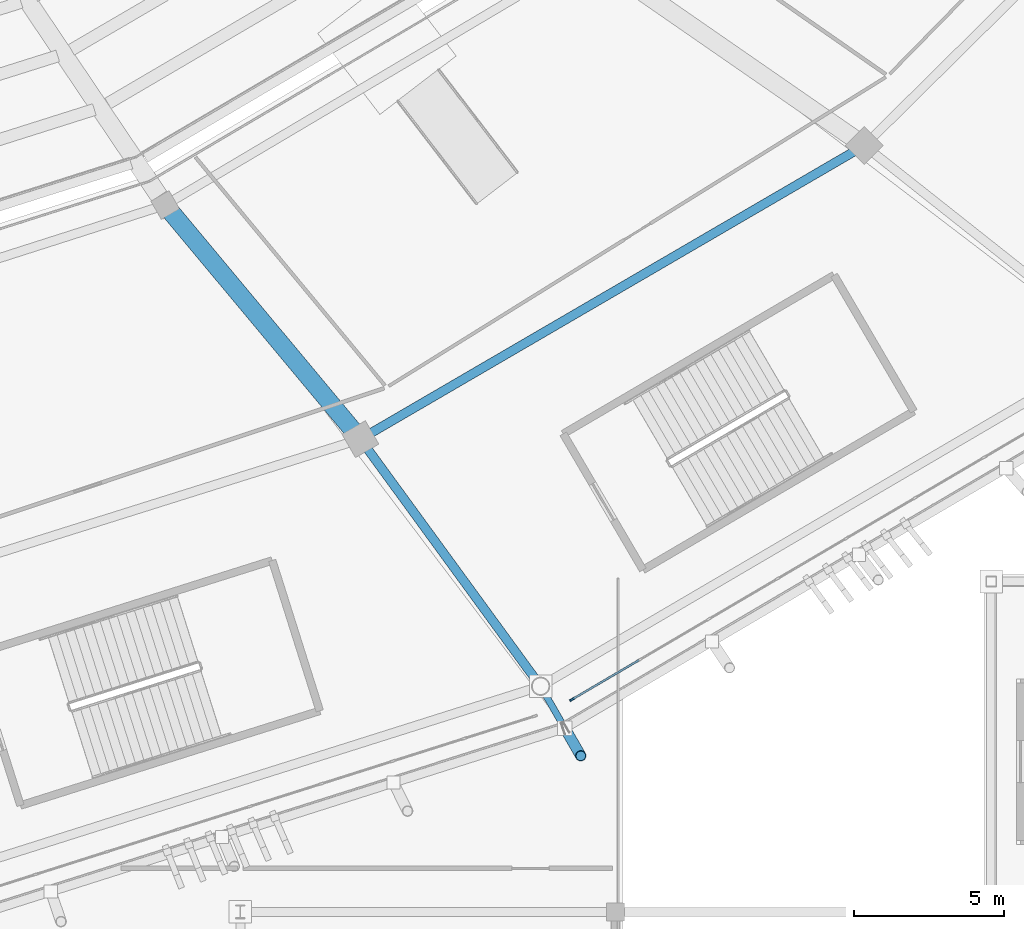
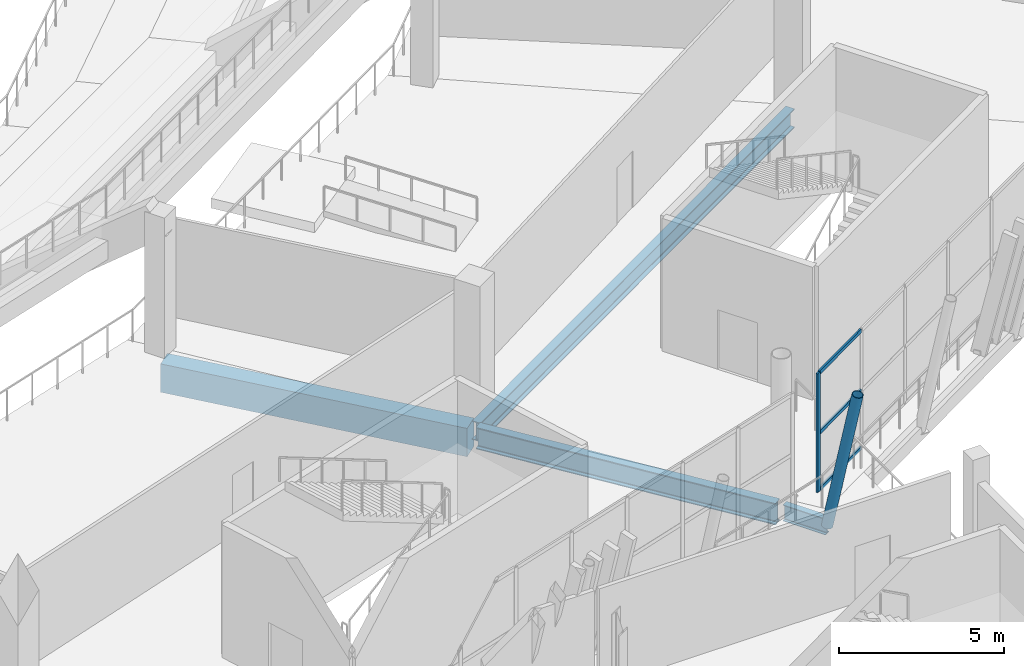
# One storey, part 52 of 178: 5 members, 4 beams, 1 element without a shape of its own.
"""IFC4 building model written with IfcOpenShell, lengths in metres."""

from ifc_helpers import new_model, si_unit, direction, frame, origin, origin_2d, place, context, subcontext, project, spatial, rectangle, hollow_circle, i_section, extrude, material, material_profile, profile_set, type_object, element, aggregate, save


model = new_model("IFC4")

# Units and contexts
model_context = context("Model", 3, precision=1e-05, world=origin(), true_north=direction((0.0, 1.0)))
body_context = subcontext(model_context, "Body", "Model", "MODEL_VIEW")
ifc_project = project(units=[si_unit("LENGTHUNIT", "METRE"), si_unit("AREAUNIT", "SQUARE_METRE"), si_unit("VOLUMEUNIT", "CUBIC_METRE"), si_unit("PLANEANGLEUNIT", "RADIAN"), si_unit("MASSUNIT", "GRAM", prefix="KILO")], contexts=[model_context])

# Site, building, storey
site_placement = place(None, origin())
site = spatial("IfcSite", under=ifc_project, at=site_placement, CompositionType="ELEMENT")
building_placement = place(site_placement, origin())
building = spatial("IfcBuilding", under=site, at=building_placement, Name="Zlatoyarsky Gate Stadium", CompositionType="ELEMENT")
storey_placement = place(building_placement, frame((0.0, 0.0, 5.39990234375)))
storey = spatial("IfcBuildingStorey", under=building, at=storey_placement, Name="L01", CompositionType="ELEMENT", Elevation=5.39990234375)

# Curtain wall, members
ifc_material_1 = material(Name="Thermally broken anodised aluminium curtain wall", Category="aluminium")
curtain_wall_type = type_object("IfcCurtainWallType", Name="UNITISED HOSPITALITY GLAZING L01", PredefinedType="USERDEFINED", material=ifc_material_1)
curtain_wall_placement = place(storey_placement, origin())
curtain_wall = element("IfcCurtainWall", 1, at=curtain_wall_placement, inside=storey, type_object=curtain_wall_type, Name="Curtain wall CW-L01-20", ObjectType="UNITISED GLAZING", PredefinedType="USERDEFINED")
ifc_material_2 = material(Name="Anodised aluminium 6063-T6", Category="aluminium")
ifc_material_profile_1 = material_profile(ifc_material_2, rectangle(XDim=0.06494140625, YDim=0.159912109375, at=origin_2d()), Name="ALU 65X160")
ifc_profile_set_1 = profile_set([ifc_material_profile_1], Name="Anodised aluminium 6063-T6")
member_type_1 = type_object("IfcMemberType", Name="ALUMINIUM MULLION 65X160", PredefinedType="MULLION", material=ifc_profile_set_1)
member_1_placement = place(storey_placement, frame((158.542724609375, 18.071044921875, 0.0), z_axis=(0.0, 0.0, 1.0), x_axis=(-0.506590401335, 0.862186850558, 0.0)))
member_1 = element("IfcMember", 2, at=member_1_placement, type_object=member_type_1, Name="CW-UG1 mullion 1", PredefinedType="MULLION", context=body_context, shape_type="SweptSolid", body=[
    extrude(rectangle(XDim=0.06494140625, YDim=0.159912109375, at=origin_2d()), origin(), (0.0, 0.0, 1.0), 4.400146484375),
])
ifc_material_profile_2 = material_profile(ifc_material_2, rectangle(XDim=0.06494140625, YDim=0.139892578125, at=origin_2d()), Name="ALU 65X140")
ifc_profile_set_2 = profile_set([ifc_material_profile_2], Name="Anodised aluminium 6063-T6")
member_type_2 = type_object("IfcMemberType", Name="ALUMINIUM TRANSOM 65X140", PredefinedType="USERDEFINED", material=ifc_profile_set_2)
member_2_placement = place(storey_placement, frame((158.57080078125, 18.087646484375, 0.03271484375), z_axis=(0.86218667053, 0.506590707732, 0.0), x_axis=(-0.506590707732, 0.86218667053, 0.0)))
member_2 = element("IfcMember", 3, at=member_2_placement, type_object=member_type_2, Name="CW-UG1 transom 1.1", ObjectType="TRANSOM", PredefinedType="USERDEFINED", context=body_context, shape_type="SweptSolid", body=[
    extrude(rectangle(XDim=0.06494140625, YDim=0.139892578125, at=origin_2d()), origin(), (0.0, 0.0, 1.0), 2.5595703125),
])
member_3_placement = place(storey_placement, frame((158.57080078125, 18.087646484375, 2.150146484375), z_axis=(0.86218667053, 0.506590707732, 0.0), x_axis=(-0.506590707732, 0.86218667053, 0.0)))
member_3 = element("IfcMember", 4, at=member_3_placement, type_object=member_type_2, Name="CW-UG1 transom 1.2", ObjectType="TRANSOM", PredefinedType="USERDEFINED", context=body_context, shape_type="SweptSolid", body=[
    extrude(rectangle(XDim=0.06494140625, YDim=0.139892578125, at=origin_2d()), origin(), (0.0, 0.0, 1.0), 2.5595703125),
])
member_4_placement = place(storey_placement, frame((158.57080078125, 18.087646484375, 4.36767578125), z_axis=(0.86218667053, 0.506590707732, 0.0), x_axis=(-0.506590707732, 0.86218667053, 0.0)))
member_4 = element("IfcMember", 5, at=member_4_placement, type_object=member_type_2, Name="CW-UG1 transom 1.3", ObjectType="TRANSOM", PredefinedType="USERDEFINED", context=body_context, shape_type="SweptSolid", body=[
    extrude(rectangle(XDim=0.06494140625, YDim=0.139892578125, at=origin_2d()), origin(), (0.0, 0.0, 1.0), 2.5595703125),
])
aggregate(curtain_wall, [member_1, member_2, member_3, member_4])

# Beams
ifc_material_3 = material(Name="Concrete C40/50", Category="concrete")
ifc_material_profile_3 = material_profile(ifc_material_3, rectangle(XDim=0.60009765625, YDim=1.050048828125, at=origin_2d()), Name="RC GIRDER 600X1050")
ifc_profile_set_3 = profile_set([ifc_material_profile_3], Name="Concrete C40/50")
beam_type_1 = type_object("IfcBeamType", Name="CONCRETE PRIMARY GIRDER 600X1050", PredefinedType="T_BEAM", material=ifc_profile_set_3)
beam_1_placement = place(storey_placement, frame((145.076904296875, 34.44140625, -0.824951171875), z_axis=(0.640460635814, -0.767990998627, 0.0), x_axis=(0.767990998627, 0.640460635814, 0.0)))
element("IfcBeam", 6, at=beam_1_placement, inside=storey, type_object=beam_type_1, Name="Beam G-RC105 BM-L01-RAB-20", PredefinedType="T_BEAM", context=body_context, shape_type="SweptSolid", body=[
    extrude(rectangle(XDim=0.60009765625, YDim=1.050048828125, at=origin_2d()), origin(), (0.0, 0.0, 1.0), 9.90869140625),
])
ifc_material_4 = material(Name="Steel S355", Category="steel")
ifc_material_profile_4 = material_profile(ifc_material_4, i_section(OverallWidth=0.219970703125, OverallDepth=0.60009765625, WebThickness=0.011962890625, FlangeThickness=0.01904296875, FilletRadius=0.02392578125, at=origin_2d()), Name="IPE 600")
ifc_profile_set_4 = profile_set([ifc_material_profile_4], Name="Steel S355")
beam_type_2 = type_object("IfcBeamType", Name="STEEL CANTILEVER FLOOR BEAM IPE 600", PredefinedType="BEAM", material=ifc_profile_set_4)
beam_2_placement = place(storey_placement, frame((157.56005859375, 18.408203125, -0.599853515625), z_axis=(0.499949632511, -0.866054481515, 0.0), x_axis=(0.866054481515, 0.499949632511, 0.0)))
element("IfcBeam", 7, at=beam_2_placement, inside=storey, type_object=beam_type_2, Name="Beam B-IPE600 BM-L01-OUT-20", PredefinedType="BEAM", context=body_context, shape_type="SweptSolid", body=[
    extrude(i_section(OverallWidth=0.219970703125, OverallDepth=0.60009765625, WebThickness=0.011962890625, FlangeThickness=0.01904296875, FilletRadius=0.02392578125, at=origin_2d()), origin(), (0.0, 0.0, 1.0), 1.488525390625),
])

# Member
ifc_material_profile_5 = material_profile(ifc_material_4, hollow_circle(Radius=0.177734375, WallThickness=0.02001953125, at=origin_2d()), Name="CHS 355.6X20")
ifc_profile_set_5 = profile_set([ifc_material_profile_5], Name="Steel S355")
member_type_3 = type_object("IfcMemberType", Name="STEEL LEANING RIB RING STRUT CHS 355.6X20", PredefinedType="STRUT", material=ifc_profile_set_5)
member_5_placement = place(storey_placement, frame((158.30419921875, 17.119140625, -0.599853515625), z_axis=(0.100167839717, -0.173483733379, 0.979729451501), x_axis=(0.866010359988, 0.500026055714, 0.0)))
element("IfcMember", 8, at=member_5_placement, inside=storey, type_object=member_type_3, Name="Leaning ring strut 20 L01 to L02", PredefinedType="STRUT", context=body_context, shape_type="SweptSolid", body=[
    extrude(hollow_circle(Radius=0.177734375, WallThickness=0.02001953125, at=origin_2d()), origin(), (0.0, 0.0, 1.0), 5.327880859375),
])

# Beams
ifc_material_profile_6 = material_profile(ifc_material_4, i_section(OverallWidth=0.300048828125, OverallDepth=0.699951171875, WebThickness=0.01708984375, FlangeThickness=0.031982421875, FilletRadius=0.027099609375, at=origin_2d()), Name="HEB 700")
ifc_profile_set_6 = profile_set([ifc_material_profile_6], Name="Steel S355")
beam_type_3 = type_object("IfcBeamType", Name="STEEL PRIMARY GIRDER HEB 700", PredefinedType="BEAM", material=ifc_profile_set_6)
beam_3_placement = place(storey_placement, frame((151.603759765625, 26.7998046875, -0.64990234375), z_axis=(0.864054462945, 0.503398336375, 0.0), x_axis=(-0.503398336375, 0.864054462945, 0.0)))
element("IfcBeam", 9, at=beam_3_placement, inside=storey, type_object=beam_type_3, Name="Beam G-HEB700 BM-L01-CRB-20", PredefinedType="BEAM", context=body_context, shape_type="SweptSolid", body=[
    extrude(i_section(OverallWidth=0.300048828125, OverallDepth=0.699951171875, WebThickness=0.01708984375, FlangeThickness=0.031982421875, FilletRadius=0.027099609375, at=origin_2d()), origin(), (0.0, 0.0, 1.0), 19.1748046875),
])
ifc_material_profile_7 = material_profile(ifc_material_4, i_section(OverallWidth=0.300048828125, OverallDepth=0.800048828125, WebThickness=0.017578125, FlangeThickness=0.032958984375, FilletRadius=0.030029296875, at=origin_2d()), Name="HEB 800")
ifc_profile_set_7 = profile_set([ifc_material_profile_7], Name="Steel S355")
beam_type_4 = type_object("IfcBeamType", Name="STEEL PRIMARY GIRDER HEB 800", PredefinedType="BEAM", material=ifc_profile_set_7)
beam_4_placement = place(storey_placement, frame((151.57080078125, 26.642333984375, -0.699951171875), z_axis=(0.589228266457, -0.807966614415, 0.0), x_axis=(0.807966614415, 0.589228266457, 0.0)))
element("IfcBeam", 10, at=beam_4_placement, inside=storey, type_object=beam_type_4, Name="Beam G-HEB800 BM-L01-RBC-20", PredefinedType="BEAM", context=body_context, shape_type="SweptSolid", body=[
    extrude(i_section(OverallWidth=0.300048828125, OverallDepth=0.800048828125, WebThickness=0.017578125, FlangeThickness=0.032958984375, FilletRadius=0.030029296875, at=origin_2d()), origin(), (0.0, 0.0, 1.0), 9.9423828125),
])

save(model, "model.ifc")
